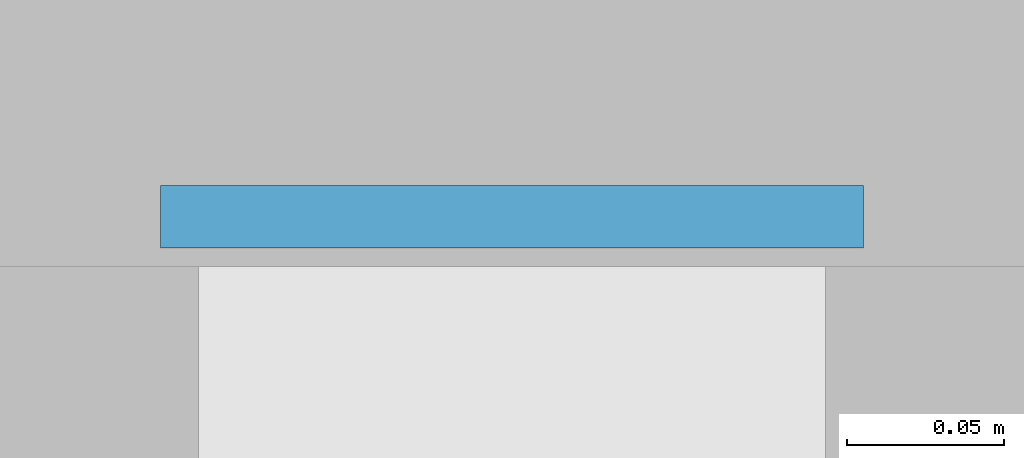
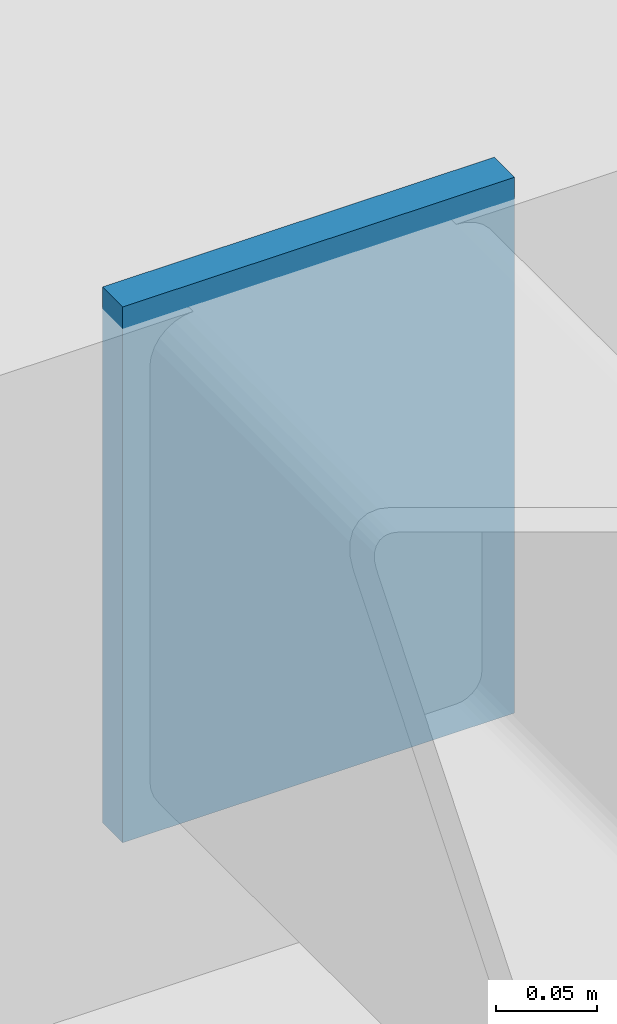
# One storey, part 123 of 138: 1 discrete accessory.
"""IFC4 building model written with IfcOpenShell, lengths in metres."""

from ifc_helpers import new_model, si_unit, direction, frame, origin, origin_2d, place, context, subcontext, project, spatial, rectangle, extrude, material, layer, layer_set, type_object, element, save


model = new_model("IFC4")

# Units and contexts
model_context = context("Model", 3, precision=1e-05, world=origin(), true_north=direction((0.0, 1.0)))
body_context = subcontext(model_context, "Body", "Model", "MODEL_VIEW")
ifc_project = project(units=[si_unit("LENGTHUNIT", "METRE"), si_unit("AREAUNIT", "SQUARE_METRE"), si_unit("VOLUMEUNIT", "CUBIC_METRE"), si_unit("PLANEANGLEUNIT", "RADIAN"), si_unit("MASSUNIT", "GRAM", prefix="KILO")], contexts=[model_context])

# Site, building, storey
site_placement = place(None, origin())
site = spatial("IfcSite", under=ifc_project, at=site_placement, CompositionType="ELEMENT")
building_placement = place(site_placement, origin())
building = spatial("IfcBuilding", under=site, at=building_placement, Name="Kranzveld Transit Interchange", CompositionType="ELEMENT")
storey_placement = place(building_placement, origin())
storey = spatial("IfcBuildingStorey", under=building, at=storey_placement, Name="L00", CompositionType="ELEMENT", Elevation=0.0)

# Discrete accessory
ifc_material = material(Name="Steel S355JR", Category="steel")
ifc_layer = layer(ifc_material, 0.02001953125)
ifc_layer_set = layer_set([ifc_layer], Name="Steel S355JR")
discrete_accessory_type = type_object("IfcDiscreteAccessoryType", Name="Hollow Section End Cap Bracket 20 S355JR", PredefinedType="BRACKET", material=ifc_layer_set)
discrete_accessory_placement = place(storey_placement, frame((168.0, 111.680908203125, 5.0), z_axis=(0.0, 1.0, 0.0), x_axis=(-1.0, 0.0, 0.0)))
element("IfcDiscreteAccessory", 1, at=discrete_accessory_placement, inside=storey, type_object=discrete_accessory_type, Name="Hollow Section End Cap SP-RHS300-2", PredefinedType="BRACKET", context=body_context, shape_type="SweptSolid", body=[
    extrude(rectangle(XDim=0.22412109375, YDim=0.323974609375, at=origin_2d()), origin(), (0.0, 0.0, 1.0), 0.02001953125),
])

save(model, "model.ifc")
